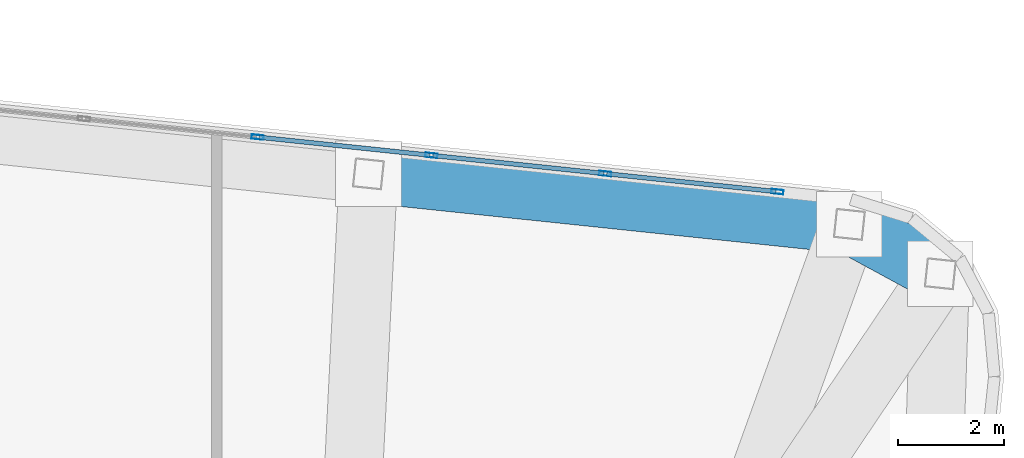
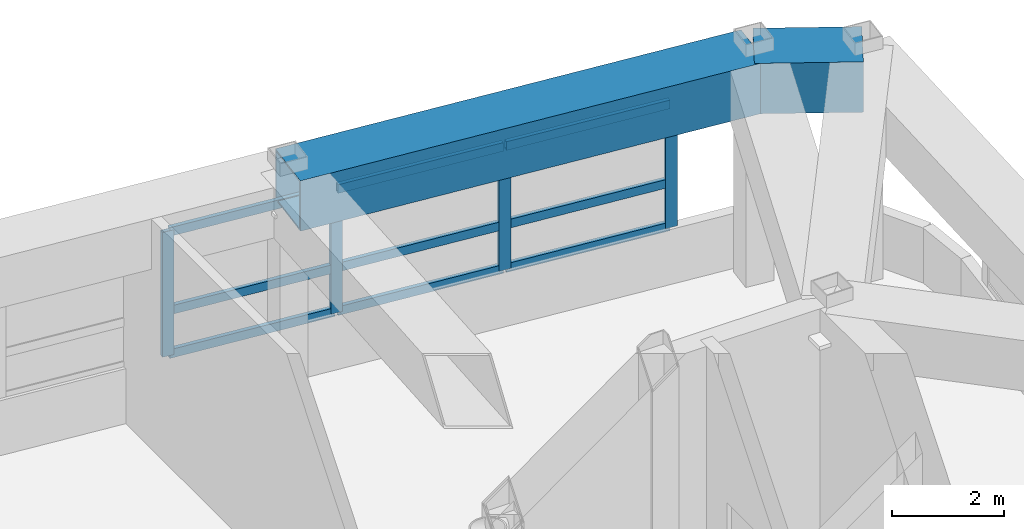
# One storey, part 17 of 23: 13 members, 2 beams, 1 element without a shape of its own.
"""IFC4 building model written with IfcOpenShell, lengths in metres."""

from ifc_helpers import new_model, si_unit, direction, frame, origin, origin_2d, place, context, subcontext, project, spatial, hollow_rectangle, extrude, material, layer, layer_set, material_profile, profile_set, type_object, element, aggregate, save


model = new_model("IFC4")

# Units and contexts
model_context = context("Model", 3, precision=1e-05, world=origin(), true_north=direction((0.0, 1.0)))
body_context = subcontext(model_context, "Body", "Model", "MODEL_VIEW")
ifc_project = project(units=[si_unit("LENGTHUNIT", "METRE"), si_unit("AREAUNIT", "SQUARE_METRE"), si_unit("VOLUMEUNIT", "CUBIC_METRE"), si_unit("PLANEANGLEUNIT", "RADIAN"), si_unit("MASSUNIT", "GRAM", prefix="KILO")], contexts=[model_context])

# Site, building, storey
site_placement = place(None, origin())
site = spatial("IfcSite", under=ifc_project, at=site_placement, CompositionType="ELEMENT")
building_placement = place(site_placement, origin())
building = spatial("IfcBuilding", under=site, at=building_placement, Name="Voryun Gate Residences", CompositionType="ELEMENT")
storey_placement = place(building_placement, frame((0.0, 0.0, 316.0)))
storey = spatial("IfcBuildingStorey", under=building, at=storey_placement, Name="L78", CompositionType="ELEMENT", Elevation=316.0)

# Beams
ifc_material_1 = material(Name="Steel SM420", Category="steel")
ifc_material_profile_1 = material_profile(ifc_material_1, hollow_rectangle(XDim=1.10009765625, YDim=1.10009765625, WallThickness=0.035888671875, at=origin_2d()), Name="BOX-1100x1100x36")
ifc_profile_set_1 = profile_set([ifc_material_profile_1], Name="Steel SM420")
beam_type = type_object("IfcBeamType", Name="BM_ARCH_RIB", PredefinedType="USERDEFINED", material=ifc_profile_set_1)
beam_1_placement = place(storey_placement, frame((23.603759765625, 13.9404296875, 4.47509765625), z_axis=(-0.87877849121, 0.477229885262, 0.0), x_axis=(-0.477229885262, -0.87877849121, 0.0)))
element("IfcBeam", 1, at=beam_1_placement, inside=storey, type_object=beam_type, Name="BM-L78-SPAND-10", ObjectType="GIRDER", PredefinedType="USERDEFINED", context=body_context, shape_type="SweptSolid", body=[
    extrude(hollow_rectangle(XDim=1.10009765625, YDim=1.10009765625, WallThickness=0.035888671875, at=origin_2d()), origin(), (0.0, 0.0, 1.0), 1.95166015625),
])
beam_2_placement = place(storey_placement, frame((21.888671875, 14.871826171875, 4.47509765625), z_axis=(-0.994523919568, 0.104509202498, 0.0), x_axis=(-0.104509202498, -0.994523919568, 0.0)))
element("IfcBeam", 2, at=beam_2_placement, inside=storey, type_object=beam_type, Name="BM-L78-SPAND-11", ObjectType="GIRDER", PredefinedType="USERDEFINED", context=body_context, shape_type="SweptSolid", body=[
    extrude(hollow_rectangle(XDim=1.10009765625, YDim=1.10009765625, WallThickness=0.035888671875, at=origin_2d()), origin(), (0.0, 0.0, 1.0), 9.1201171875),
])

# Curtain wall, members
ifc_material_2 = material(Name="Anodised aluminium", Category="aluminium")
ifc_layer = layer(ifc_material_2, 0.22998046875, Name="CW_SYS_LANTERN_DARK_GLASS")
ifc_layer_set = layer_set([ifc_layer], Name="Anodised aluminium")
curtain_wall_type = type_object("IfcCurtainWallType", Name="CW_SYS_LANTERN_DARK_GLASS", PredefinedType="NOTDEFINED", material=ifc_layer_set)
curtain_wall_placement = place(storey_placement, origin())
curtain_wall = element("IfcCurtainWall", 3, at=curtain_wall_placement, inside=storey, type_object=curtain_wall_type, Name="Curtain wall CW6-L78-11", PredefinedType="NOTDEFINED")
ifc_material_3 = material(Name="Anodised aluminium", Category="aluminium")
ifc_material_profile_2 = material_profile(ifc_material_3, hollow_rectangle(XDim=0.0849609375, YDim=0.22998046875, WallThickness=0.006103515625, at=origin_2d()), Name="ALU-MULL-230x85x6")
ifc_profile_set_2 = profile_set([ifc_material_profile_2], Name="Anodised aluminium")
member_type_1 = type_object("IfcMemberType", Name="CW_MULL_LANT", PredefinedType="MULLION", material=ifc_profile_set_2)
member_1_placement = place(storey_placement, frame((10.730712890625, 16.51708984375, 1.18994140625), z_axis=(0.0, 0.0, 1.0), x_axis=(0.10452775858, 0.994521969434, 0.0)))
member_1 = element("IfcMember", 4, at=member_1_placement, type_object=member_type_1, Name="CW6 mullion 11", PredefinedType="MULLION", context=body_context, shape_type="SweptSolid", body=[
    extrude(hollow_rectangle(XDim=0.0849609375, YDim=0.22998046875, WallThickness=0.006103515625, at=origin_2d()), origin(), (0.0, 0.0, 1.0), 2.72509765625),
])
member_2_placement = place(storey_placement, frame((14.007568359375, 16.172607421875, 1.18994140625), z_axis=(0.0, 0.0, 1.0), x_axis=(0.10452775858, 0.994521969434, 0.0)))
member_2 = element("IfcMember", 5, at=member_2_placement, type_object=member_type_1, Name="CW6 mullion 12", PredefinedType="MULLION", context=body_context, shape_type="SweptSolid", body=[
    extrude(hollow_rectangle(XDim=0.0849609375, YDim=0.22998046875, WallThickness=0.006103515625, at=origin_2d()), origin(), (0.0, 0.0, 1.0), 2.72509765625),
])
member_3_placement = place(storey_placement, frame((17.2841796875, 15.828369140625, 1.18994140625), z_axis=(0.0, 0.0, 1.0), x_axis=(0.10452775858, 0.994521969434, 0.0)))
member_3 = element("IfcMember", 6, at=member_3_placement, type_object=member_type_1, Name="CW6 mullion 13", PredefinedType="MULLION", context=body_context, shape_type="SweptSolid", body=[
    extrude(hollow_rectangle(XDim=0.0849609375, YDim=0.22998046875, WallThickness=0.006103515625, at=origin_2d()), origin(), (0.0, 0.0, 1.0), 2.72509765625),
])
member_4_placement = place(storey_placement, frame((20.53076171875, 15.487060546875, 1.18994140625), z_axis=(0.0, 0.0, 1.0), x_axis=(0.10452775858, 0.994521969434, 0.0)))
member_4 = element("IfcMember", 7, at=member_4_placement, type_object=member_type_1, Name="CW6 mullion 14", PredefinedType="MULLION", context=body_context, shape_type="SweptSolid", body=[
    extrude(hollow_rectangle(XDim=0.0849609375, YDim=0.22998046875, WallThickness=0.006103515625, at=origin_2d()), origin(), (0.0, 0.0, 1.0), 2.72509765625),
])
ifc_material_4 = material(Name="Anodised aluminium", Category="aluminium")
ifc_material_profile_3 = material_profile(ifc_material_4, hollow_rectangle(XDim=0.0849609375, YDim=0.18994140625, WallThickness=0.006103515625, at=origin_2d()), Name="ALU-TRAN-190x85x6")
ifc_profile_set_3 = profile_set([ifc_material_profile_3], Name="Anodised aluminium")
member_type_2 = type_object("IfcMemberType", Name="CW_TRAN_LANT", PredefinedType="USERDEFINED", material=ifc_profile_set_3)
member_5_placement = place(storey_placement, frame((10.7607421875, 16.513916015625, 1.219970703125), z_axis=(0.994520745033, -0.104539407398, 0.0), x_axis=(0.104539407398, 0.994520745033, 0.0)))
member_5 = element("IfcMember", 8, at=member_5_placement, type_object=member_type_2, Name="CW6 transom 11.1", ObjectType="TRANSOM", PredefinedType="USERDEFINED", context=body_context, shape_type="SweptSolid", body=[
    extrude(hollow_rectangle(XDim=0.0849609375, YDim=0.18994140625, WallThickness=0.006103515625, at=origin_2d()), origin(), (0.0, 0.0, 1.0), 3.234619140625),
])
member_6_placement = place(storey_placement, frame((10.7607421875, 16.513916015625, 2.1708984375), z_axis=(0.994520745033, -0.104539407398, 0.0), x_axis=(0.104539407398, 0.994520745033, 0.0)))
member_6 = element("IfcMember", 9, at=member_6_placement, type_object=member_type_2, Name="CW6 transom 11.2", ObjectType="TRANSOM", PredefinedType="USERDEFINED", context=body_context, shape_type="SweptSolid", body=[
    extrude(hollow_rectangle(XDim=0.0849609375, YDim=0.18994140625, WallThickness=0.006103515625, at=origin_2d()), origin(), (0.0, 0.0, 1.0), 3.234619140625),
])
member_7_placement = place(storey_placement, frame((10.7607421875, 16.513916015625, 3.885009765625), z_axis=(0.994520745033, -0.104539407398, 0.0), x_axis=(0.104539407398, 0.994520745033, 0.0)))
member_7 = element("IfcMember", 10, at=member_7_placement, type_object=member_type_2, Name="CW6 transom 11.3", ObjectType="TRANSOM", PredefinedType="USERDEFINED", context=body_context, shape_type="SweptSolid", body=[
    extrude(hollow_rectangle(XDim=0.0849609375, YDim=0.18994140625, WallThickness=0.006103515625, at=origin_2d()), origin(), (0.0, 0.0, 1.0), 3.234619140625),
])
member_8_placement = place(storey_placement, frame((14.037353515625, 16.16943359375, 1.219970703125), z_axis=(0.994520745033, -0.104539407398, 0.0), x_axis=(0.104539407398, 0.994520745033, 0.0)))
member_8 = element("IfcMember", 11, at=member_8_placement, type_object=member_type_2, Name="CW6 transom 12.1", ObjectType="TRANSOM", PredefinedType="USERDEFINED", context=body_context, shape_type="SweptSolid", body=[
    extrude(hollow_rectangle(XDim=0.0849609375, YDim=0.18994140625, WallThickness=0.006103515625, at=origin_2d()), origin(), (0.0, 0.0, 1.0), 3.234619140625),
])
member_9_placement = place(storey_placement, frame((14.037353515625, 16.16943359375, 2.1708984375), z_axis=(0.994520745033, -0.104539407398, 0.0), x_axis=(0.104539407398, 0.994520745033, 0.0)))
member_9 = element("IfcMember", 12, at=member_9_placement, type_object=member_type_2, Name="CW6 transom 12.2", ObjectType="TRANSOM", PredefinedType="USERDEFINED", context=body_context, shape_type="SweptSolid", body=[
    extrude(hollow_rectangle(XDim=0.0849609375, YDim=0.18994140625, WallThickness=0.006103515625, at=origin_2d()), origin(), (0.0, 0.0, 1.0), 3.234619140625),
])
member_10_placement = place(storey_placement, frame((14.037353515625, 16.16943359375, 3.885009765625), z_axis=(0.994520745033, -0.104539407398, 0.0), x_axis=(0.104539407398, 0.994520745033, 0.0)))
member_10 = element("IfcMember", 13, at=member_10_placement, type_object=member_type_2, Name="CW6 transom 12.3", ObjectType="TRANSOM", PredefinedType="USERDEFINED", context=body_context, shape_type="SweptSolid", body=[
    extrude(hollow_rectangle(XDim=0.0849609375, YDim=0.18994140625, WallThickness=0.006103515625, at=origin_2d()), origin(), (0.0, 0.0, 1.0), 3.234619140625),
])
member_11_placement = place(storey_placement, frame((17.31396484375, 15.8251953125, 1.219970703125), z_axis=(0.994522138405, -0.104526150903, 0.0), x_axis=(0.104526150903, 0.994522138405, 0.0)))
member_11 = element("IfcMember", 14, at=member_11_placement, type_object=member_type_2, Name="CW6 transom 13.1", ObjectType="TRANSOM", PredefinedType="USERDEFINED", context=body_context, shape_type="SweptSolid", body=[
    extrude(hollow_rectangle(XDim=0.0849609375, YDim=0.18994140625, WallThickness=0.006103515625, at=origin_2d()), origin(), (0.0, 0.0, 1.0), 3.20458984375),
])
member_12_placement = place(storey_placement, frame((17.31396484375, 15.8251953125, 2.1708984375), z_axis=(0.994522138405, -0.104526150903, 0.0), x_axis=(0.104526150903, 0.994522138405, 0.0)))
member_12 = element("IfcMember", 15, at=member_12_placement, type_object=member_type_2, Name="CW6 transom 13.2", ObjectType="TRANSOM", PredefinedType="USERDEFINED", context=body_context, shape_type="SweptSolid", body=[
    extrude(hollow_rectangle(XDim=0.0849609375, YDim=0.18994140625, WallThickness=0.006103515625, at=origin_2d()), origin(), (0.0, 0.0, 1.0), 3.20458984375),
])
member_13_placement = place(storey_placement, frame((17.31396484375, 15.8251953125, 3.885009765625), z_axis=(0.994522138405, -0.104526150903, 0.0), x_axis=(0.104526150903, 0.994522138405, 0.0)))
member_13 = element("IfcMember", 16, at=member_13_placement, type_object=member_type_2, Name="CW6 transom 13.3", ObjectType="TRANSOM", PredefinedType="USERDEFINED", context=body_context, shape_type="SweptSolid", body=[
    extrude(hollow_rectangle(XDim=0.0849609375, YDim=0.18994140625, WallThickness=0.006103515625, at=origin_2d()), origin(), (0.0, 0.0, 1.0), 3.20458984375),
])
aggregate(curtain_wall, [member_1, member_2, member_3, member_4, member_5, member_6, member_7, member_8, member_9, member_10, member_11, member_12, member_13])

save(model, "model.ifc")
